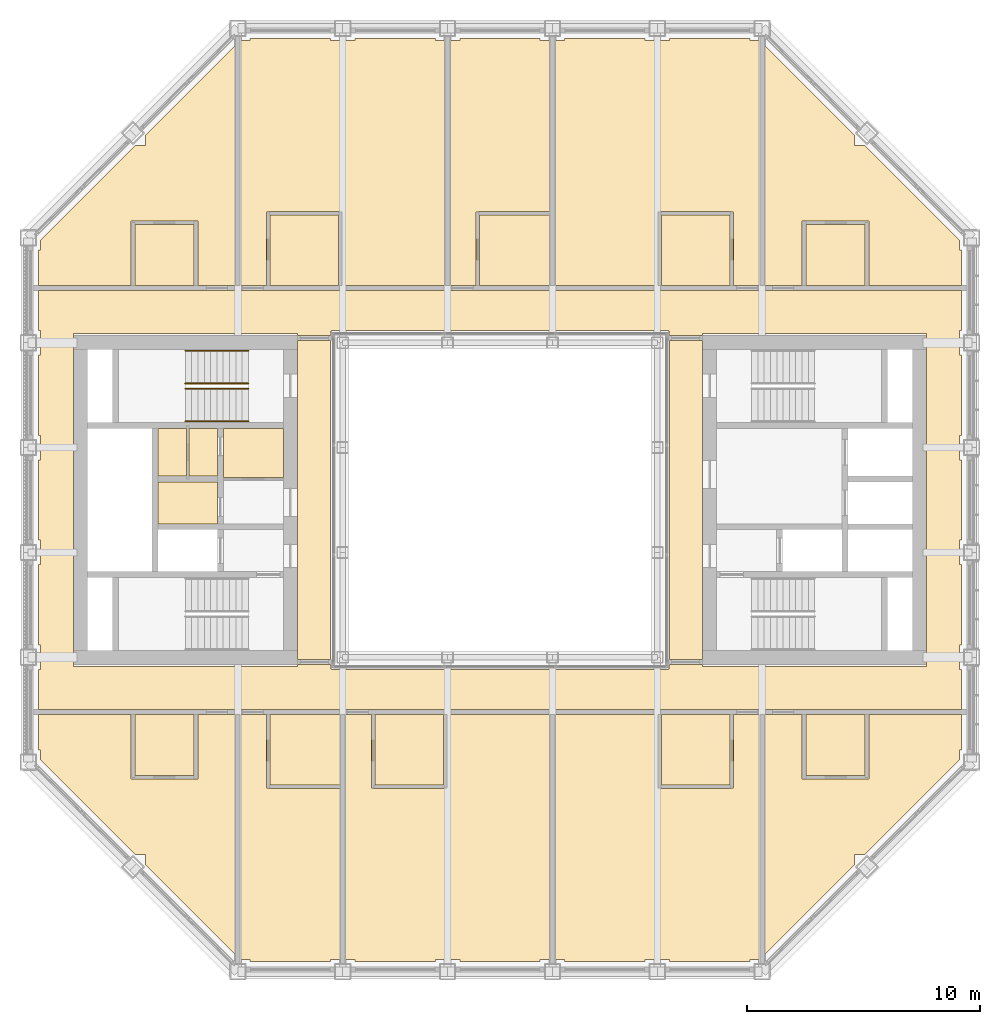
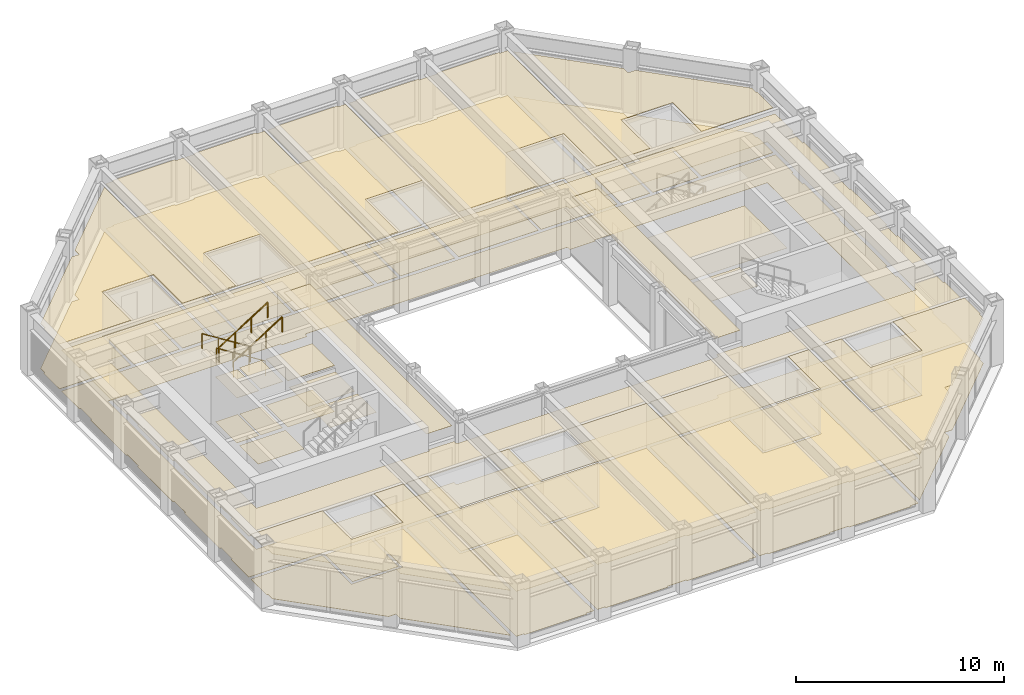
# One storey, part 15 of 16: 8 coverings, 4 railings.
"""IFC4 building model written with IfcOpenShell, lengths in metres."""

from ifc_helpers import new_model, si_unit, direction, frame, origin, origin_2d, place, context, subcontext, project, spatial, line, indexed_curve, circle, outline, extrude, material, layer, layer_set, type_object, element, save


model = new_model("IFC4")

# Units and contexts
model_context = context("Model", 3, precision=1e-05, world=origin(), true_north=direction((0.0, 1.0)))
body_context = subcontext(model_context, "Body", "Model", "MODEL_VIEW")
ifc_project = project(units=[si_unit("LENGTHUNIT", "METRE"), si_unit("AREAUNIT", "SQUARE_METRE"), si_unit("VOLUMEUNIT", "CUBIC_METRE"), si_unit("PLANEANGLEUNIT", "RADIAN"), si_unit("MASSUNIT", "GRAM", prefix="KILO")], contexts=[model_context])

# Site, building, storey
site_placement = place(None, origin())
site = spatial("IfcSite", under=ifc_project, at=site_placement, CompositionType="ELEMENT")
building_placement = place(site_placement, origin())
building = spatial("IfcBuilding", under=site, at=building_placement, Name="Msasa Ring Tower", CompositionType="ELEMENT")
storey_placement = place(building_placement, frame((0.0, 0.0, 219.550048828125)))
storey = spatial("IfcBuildingStorey", under=building, at=storey_placement, Name="L57", CompositionType="ELEMENT", Elevation=219.550048828125)

# Coverings
ifc_material_1 = material(Name="Gypsum plasterboard on a steel suspension grid", Category="steel")
ifc_layer_1 = layer(ifc_material_1, 0.014892578125)
ifc_layer_set_1 = layer_set([ifc_layer_1], Name="C1 SUSPENDED PLASTERBOARD CEILING 15")
covering_type_1 = type_object("IfcCoveringType", Name="C1 SUSPENDED PLASTERBOARD CEILING 15", PredefinedType="CEILING", material=ifc_layer_set_1)
covering_1_placement = place(storey_placement, frame((0.0, 0.0, 2.39990234375)))
element("IfcCovering", 1, at=covering_1_placement, inside=storey, type_object=covering_type_1, Name="Suspended Plasterboard Ceiling 15 circulation L57", PredefinedType="CEILING", context=body_context, shape_type="SweptSolid", body=[
    extrude(outline(indexed_curve([(19.799560546875, 7.275390625), (19.724609375, 7.275390625), (19.724609375, 6.224609375), (19.799560546875, 6.224609375), (19.799560546875, 2.775390625), (19.724609375, 2.775390625), (19.724609375, 1.724609375), (19.799560546875, 1.724609375), (19.799560546875, -1.724609375), (19.724609375, -1.724609375), (19.724609375, -2.775390625), (19.799560546875, -2.775390625), (19.799560546875, -6.224609375), (19.724609375, -6.224609375), (19.724609375, -7.275390625), (19.799560546875, -7.275390625), (19.799560546875, -8.99951171875), (-19.799560546875, -8.99951171875), (-19.799560546875, -7.275390625), (-19.724609375, -7.275390625), (-19.724609375, -6.224609375), (-19.799560546875, -6.224609375), (-19.799560546875, -2.775390625), (-19.724609375, -2.775390625), (-19.724609375, -1.724609375), (-19.799560546875, -1.724609375), (-19.799560546875, 1.724609375), (-19.724609375, 1.724609375), (-19.724609375, 2.775390625), (-19.799560546875, 2.775390625), (-19.799560546875, 6.224609375), (-19.724609375, 6.224609375), (-19.724609375, 7.275390625), (-19.799560546875, 7.275390625), (-19.799560546875, 8.99951171875), (19.799560546875, 8.99951171875)], segments=[line(1, 2, 3, 4, 5, 6, 7, 8, 9, 10, 11, 12, 13, 14, 15, 16, 17, 18, 19, 20, 21, 22, 23, 24, 25, 26, 27, 28, 29, 30, 31, 32, 33, 34, 35, 36, 1)], self_intersect=False), holes=[indexed_curve([(8.699462890625, -7.150390625), (18.300537109375, -7.150390625), (18.300537109375, 7.150390625), (8.699462890625, 7.150390625), (8.699462890625, 7.050537109375), (7.280029296875, 7.050537109375), (7.280517578125, 7.23046875), (7.22998046875, 7.23046875), (7.22998046875, 7.280029296875), (-7.22998046875, 7.280029296875), (-7.22998046875, 7.23046875), (-7.280517578125, 7.23046875), (-7.280029296875, 7.050537109375), (-8.699462890625, 7.050537109375), (-8.699462890625, 7.150390625), (-18.300537109375, 7.150390625), (-18.300537109375, -7.150390625), (-8.699462890625, -7.150390625), (-8.699462890625, -7.050537109375), (-7.280029296875, -7.050537109375), (-7.280517578125, -7.23046875), (-7.22998046875, -7.23046875), (-7.22998046875, -7.280029296875), (7.22998046875, -7.280029296875), (7.22998046875, -7.23046875), (7.280517578125, -7.23046875), (7.280029296875, -7.050537109375), (8.699462890625, -7.050537109375)], segments=[line(1, 2, 3, 4, 5, 6, 7, 8, 9, 10, 11, 12, 13, 14, 15, 16, 17, 18, 19, 20, 21, 22, 23, 24, 25, 26, 27, 28, 1)], self_intersect=False)]), origin(), (0.0, 0.0, 1.0), 0.01513671875),
    extrude(outline(indexed_curve([(-9.300537109375, -3.074462890625), (-11.87451171875, -3.074462890625), (-11.87451171875, -1.275390625), (-9.300537109375, -1.275390625)], segments=[line(1, 2, 3, 4, 1)], self_intersect=False)), origin(), (0.0, 0.0, 1.0), 0.01513671875),
    extrude(outline(indexed_curve([(-9.300537109375, -1.0244140625), (-11.87451171875, -1.0244140625), (-11.87451171875, 0.844482421875), (-9.300537109375, 0.844482421875)], segments=[line(1, 2, 3, 4, 1)], self_intersect=False)), origin(), (0.0, 0.0, 1.0), 0.01513671875),
    extrude(outline(indexed_curve([(11.87451171875, -3.074462890625), (9.300537109375, -3.074462890625), (9.300537109375, -1.275390625), (11.87451171875, -1.275390625)], segments=[line(1, 2, 3, 4, 1)], self_intersect=False)), origin(), (0.0, 0.0, 1.0), 0.01513671875),
    extrude(outline(indexed_curve([(9.300537109375, -1.0244140625), (9.300537109375, 3.074462890625), (14.674560546875, 3.074462890625), (14.674560546875, -1.0244140625)], segments=[line(1, 2, 3, 4, 1)], self_intersect=False)), origin(), (0.0, 0.0, 1.0), 0.01513671875),
])
covering_2_placement = place(storey_placement, frame((0.0, 0.0, 3.199951171875)))
element("IfcCovering", 2, at=covering_2_placement, inside=storey, type_object=covering_type_1, Name="Suspended Plasterboard Ceiling 15 public rooms L57", PredefinedType="CEILING", context=body_context, shape_type="SweptSolid", body=[
    extrude(outline(indexed_curve([(-7.280029296875, 6.849609375), (-7.280029296875, -6.849609375), (-8.699462890625, -6.849609375), (-8.699462890625, 6.849609375)], segments=[line(1, 2, 3, 4, 1)], self_intersect=False)), origin(), (0.0, 0.0, 1.0), 0.014892578125),
    extrude(outline(indexed_curve([(8.699462890625, 6.849609375), (8.699462890625, -6.849609375), (7.280029296875, -6.849609375), (7.280029296875, 6.849609375)], segments=[line(1, 2, 3, 4, 1)], self_intersect=False)), origin(), (0.0, 0.0, 1.0), 0.014892578125),
])
covering_3_placement = place(storey_placement, frame((0.0, 0.0, 2.634033203125)))
element("IfcCovering", 3, at=covering_3_placement, inside=storey, type_object=covering_type_1, Name="Suspended Plasterboard Ceiling 15 L57", PredefinedType="CEILING", context=body_context, shape_type="SweptSolid", body=[
    extrude(outline(indexed_curve([(-15.83056640625, -11.98046875), (-12.969482421875, -11.98046875), (-12.969482421875, -9.200439453125), (-11.3505859375, -9.200439453125), (-11.3505859375, -19.512451171875), (-15.224609375, -15.638427734375), (-15.224609375, -15.224609375), (-15.638427734375, -15.224609375), (-19.724609375, -11.138427734375), (-19.724609375, -10.724609375), (-19.799560546875, -10.724609375), (-19.799560546875, -9.200439453125), (-15.83056640625, -9.200439453125)], segments=[line(1, 2, 3, 4, 5, 6, 7, 8, 9, 10, 11, 12, 13, 1)], self_intersect=False)), origin(), (0.0, 0.0, 1.0), 0.014892578125),
    extrude(outline(indexed_curve([(-19.799560546875, 9.200439453125), (-19.799560546875, 10.724609375), (-19.724609375, 10.724609375), (-19.724609375, 11.138427734375), (-15.638427734375, 15.224609375), (-15.224609375, 15.224609375), (-15.224609375, 15.638427734375), (-11.3505859375, 19.512451171875), (-11.3505859375, 9.200439453125), (-12.969482421875, 9.200439453125), (-12.969482421875, 11.98046875), (-15.83056640625, 11.98046875), (-15.83056640625, 9.200439453125)], segments=[line(1, 2, 3, 4, 5, 6, 7, 8, 9, 10, 11, 12, 13, 1)], self_intersect=False)), origin(), (0.0, 0.0, 1.0), 0.014892578125),
    extrude(outline(indexed_curve([(-14.674560546875, 3.074462890625), (-13.45556640625, 3.074462890625), (-13.45556640625, 1.025390625), (-14.674560546875, 1.025390625)], segments=[line(1, 2, 3, 4, 1)], self_intersect=False)), origin(), (0.0, 0.0, 1.0), 0.014892578125),
    extrude(outline(indexed_curve([(-6.8505859375, -19.724609375), (-7.275390625, -19.724609375), (-7.275390625, -19.799560546875), (-10.724609375, -19.799560546875), (-10.724609375, -19.724609375), (-11.138427734375, -19.724609375), (-11.1494140625, -19.71337890625), (-11.1494140625, -9.200439453125), (-10.00048828125, -9.200439453125), (-10.00048828125, -12.3505859375), (-6.8505859375, -12.3505859375)], segments=[line(1, 2, 3, 4, 5, 6, 7, 8, 9, 10, 11, 1)], self_intersect=False)), origin(), (0.0, 0.0, 1.0), 0.014892578125),
    extrude(outline(indexed_curve([(-6.799560546875, 9.200439453125), (-6.799560546875, 12.3505859375), (-10.00048828125, 12.3505859375), (-10.00048828125, 9.200439453125), (-11.1494140625, 9.200439453125), (-11.1494140625, 19.71337890625), (-11.138427734375, 19.724609375), (-10.724609375, 19.724609375), (-10.724609375, 19.799560546875), (-7.275390625, 19.799560546875), (-7.275390625, 19.724609375), (-6.224609375, 19.724609375), (-6.224609375, 19.799560546875), (-2.775390625, 19.799560546875), (-2.775390625, 19.724609375), (-2.3505859375, 19.724609375), (-2.3505859375, 9.200439453125)], segments=[line(1, 2, 3, 4, 5, 6, 7, 8, 9, 10, 11, 12, 13, 14, 15, 16, 17, 1)], self_intersect=False)), origin(), (0.0, 0.0, 1.0), 0.014892578125),
    extrude(outline(indexed_curve([(-5.50048828125, -12.3505859375), (-2.299560546875, -12.3505859375), (-2.299560546875, -9.200439453125), (2.1494140625, -9.200439453125), (2.1494140625, -19.724609375), (1.724609375, -19.724609375), (1.724609375, -19.799560546875), (-1.724609375, -19.799560546875), (-1.724609375, -19.724609375), (-2.775390625, -19.724609375), (-2.775390625, -19.799560546875), (-6.224609375, -19.799560546875), (-6.224609375, -19.724609375), (-6.6494140625, -19.724609375), (-6.6494140625, -9.200439453125), (-5.50048828125, -9.200439453125)], segments=[line(1, 2, 3, 4, 5, 6, 7, 8, 9, 10, 11, 12, 13, 14, 15, 16, 1)], self_intersect=False)), origin(), (0.0, 0.0, 1.0), 0.014892578125),
    extrude(outline(indexed_curve([(-2.1494140625, 9.200439453125), (-2.1494140625, 19.724609375), (-1.724609375, 19.724609375), (-1.724609375, 19.799560546875), (1.724609375, 19.799560546875), (1.724609375, 19.724609375), (2.1494140625, 19.724609375), (2.1494140625, 12.3505859375), (-1.00048828125, 12.3505859375), (-1.00048828125, 9.200439453125)], segments=[line(1, 2, 3, 4, 5, 6, 7, 8, 9, 10, 1)], self_intersect=False)), origin(), (0.0, 0.0, 1.0), 0.014892578125),
    extrude(outline(indexed_curve([(6.799560546875, -12.3505859375), (10.00048828125, -12.3505859375), (10.00048828125, -9.200439453125), (11.1494140625, -9.200439453125), (11.1494140625, -19.71337890625), (11.138427734375, -19.724609375), (10.724609375, -19.724609375), (10.724609375, -19.799560546875), (7.275390625, -19.799560546875), (7.275390625, -19.724609375), (6.224609375, -19.724609375), (6.224609375, -19.799560546875), (2.775390625, -19.799560546875), (2.775390625, -19.724609375), (2.3505859375, -19.724609375), (2.3505859375, -9.200439453125), (6.799560546875, -9.200439453125)], segments=[line(1, 2, 3, 4, 5, 6, 7, 8, 9, 10, 11, 12, 13, 14, 15, 16, 17, 1)], self_intersect=False)), origin(), (0.0, 0.0, 1.0), 0.014892578125),
    extrude(outline(indexed_curve([(10.00048828125, 12.3505859375), (6.799560546875, 12.3505859375), (6.799560546875, 9.200439453125), (2.3505859375, 9.200439453125), (2.3505859375, 19.724609375), (2.775390625, 19.724609375), (2.775390625, 19.799560546875), (6.224609375, 19.799560546875), (6.224609375, 19.724609375), (7.275390625, 19.724609375), (7.275390625, 19.799560546875), (10.724609375, 19.799560546875), (10.724609375, 19.724609375), (11.138427734375, 19.724609375), (11.1494140625, 19.71337890625), (11.1494140625, 9.200439453125), (10.00048828125, 9.200439453125)], segments=[line(1, 2, 3, 4, 5, 6, 7, 8, 9, 10, 11, 12, 13, 14, 15, 16, 17, 1)], self_intersect=False)), origin(), (0.0, 0.0, 1.0), 0.014892578125),
    extrude(outline(indexed_curve([(19.799560546875, -9.200439453125), (19.799560546875, -10.724609375), (19.724609375, -10.724609375), (19.724609375, -11.138427734375), (15.638427734375, -15.224609375), (15.224609375, -15.224609375), (15.224609375, -15.638427734375), (11.3505859375, -19.512451171875), (11.3505859375, -9.200439453125), (12.969482421875, -9.200439453125), (12.969482421875, -11.98046875), (15.83056640625, -11.98046875), (15.83056640625, -9.200439453125)], segments=[line(1, 2, 3, 4, 5, 6, 7, 8, 9, 10, 11, 12, 13, 1)], self_intersect=False)), origin(), (0.0, 0.0, 1.0), 0.014892578125),
    extrude(outline(indexed_curve([(15.83056640625, 11.98046875), (12.969482421875, 11.98046875), (12.969482421875, 9.200439453125), (11.3505859375, 9.200439453125), (11.3505859375, 19.512451171875), (15.224609375, 15.638427734375), (15.224609375, 15.224609375), (15.638427734375, 15.224609375), (19.724609375, 11.138427734375), (19.724609375, 10.724609375), (19.799560546875, 10.724609375), (19.799560546875, 9.200439453125), (15.83056640625, 9.200439453125)], segments=[line(1, 2, 3, 4, 5, 6, 7, 8, 9, 10, 11, 12, 13, 1)], self_intersect=False)), origin(), (0.0, 0.0, 1.0), 0.014892578125),
])
ifc_material_2 = material(Name="Mineral fibre ceiling tiles on an exposed steel grid", Category="steel")
ifc_layer_2 = layer(ifc_material_2, 0.02001953125)
ifc_layer_set_2 = layer_set([ifc_layer_2], Name="C3 ACOUSTIC MINERAL FIBRE TILE CEILING 20")
covering_type_2 = type_object("IfcCoveringType", Name="C3 ACOUSTIC MINERAL FIBRE TILE CEILING 20", PredefinedType="CEILING", material=ifc_layer_set_2)
covering_4_placement = place(storey_placement, frame((0.0, 0.0, 2.699951171875)))
element("IfcCovering", 4, at=covering_4_placement, inside=storey, type_object=covering_type_2, Name="Acoustic Mineral Fibre Tile Ceiling 20 L57", PredefinedType="CEILING", context=body_context, shape_type="SweptSolid", body=[
    extrude(outline(indexed_curve([(-12.12548828125, 3.074462890625), (-12.12548828125, 1.025390625), (-13.344482421875, 1.025390625), (-13.344482421875, 3.074462890625)], segments=[line(1, 2, 3, 4, 1)], self_intersect=False)), origin(), (0.0, 0.0, 1.0), 0.02001953125),
    extrude(outline(indexed_curve([(-9.300537109375, 3.074462890625), (-9.300537109375, 0.95556640625), (-11.87451171875, 0.95556640625), (-11.87451171875, 3.074462890625)], segments=[line(1, 2, 3, 4, 1)], self_intersect=False)), origin(), (0.0, 0.0, 1.0), 0.02001953125),
])
ifc_material_3 = material(Name="Wool-blend carpet on felt underlay", Category="textile")
ifc_layer_3 = layer(ifc_material_3, 0.011962890625)
ifc_layer_set_3 = layer_set([ifc_layer_3], Name="F2 CARPET ON UNDERLAY 12")
covering_type_3 = type_object("IfcCoveringType", Name="F2 CARPET ON UNDERLAY 12", PredefinedType="FLOORING", material=ifc_layer_set_3)
covering_5_placement = place(storey_placement, origin())
element("IfcCovering", 5, at=covering_5_placement, inside=storey, type_object=covering_type_3, Name="Carpet On Underlay 12 L57", PredefinedType="FLOORING", context=body_context, shape_type="SweptSolid", body=[
    extrude(outline(indexed_curve([(19.799560546875, 7.275390625), (19.724609375, 7.275390625), (19.724609375, 6.224609375), (19.799560546875, 6.224609375), (19.799560546875, 2.775390625), (19.724609375, 2.775390625), (19.724609375, 1.724609375), (19.799560546875, 1.724609375), (19.799560546875, -1.724609375), (19.724609375, -1.724609375), (19.724609375, -2.775390625), (19.799560546875, -2.775390625), (19.799560546875, -6.224609375), (19.724609375, -6.224609375), (19.724609375, -7.275390625), (19.799560546875, -7.275390625), (19.799560546875, -8.99951171875), (-19.799560546875, -8.99951171875), (-19.799560546875, -7.275390625), (-19.724609375, -7.275390625), (-19.724609375, -6.224609375), (-19.799560546875, -6.224609375), (-19.799560546875, -2.775390625), (-19.724609375, -2.775390625), (-19.724609375, -1.724609375), (-19.799560546875, -1.724609375), (-19.799560546875, 1.724609375), (-19.724609375, 1.724609375), (-19.724609375, 2.775390625), (-19.799560546875, 2.775390625), (-19.799560546875, 6.224609375), (-19.724609375, 6.224609375), (-19.724609375, 7.275390625), (-19.799560546875, 7.275390625), (-19.799560546875, 8.99951171875), (19.799560546875, 8.99951171875)], segments=[line(1, 2, 3, 4, 5, 6, 7, 8, 9, 10, 11, 12, 13, 14, 15, 16, 17, 18, 19, 20, 21, 22, 23, 24, 25, 26, 27, 28, 29, 30, 31, 32, 33, 34, 35, 36, 1)], self_intersect=False), holes=[indexed_curve([(8.699462890625, -7.150390625), (18.300537109375, -7.150390625), (18.300537109375, 7.150390625), (8.699462890625, 7.150390625), (8.699462890625, 7.050537109375), (7.280029296875, 7.050537109375), (7.280517578125, 7.23046875), (7.22998046875, 7.23046875), (7.22998046875, 7.280029296875), (-7.22998046875, 7.280029296875), (-7.22998046875, 7.23046875), (-7.280517578125, 7.23046875), (-7.280029296875, 7.050537109375), (-8.699462890625, 7.050537109375), (-8.699462890625, 7.150390625), (-18.300537109375, 7.150390625), (-18.300537109375, -7.150390625), (-8.699462890625, -7.150390625), (-8.699462890625, -7.050537109375), (-7.280029296875, -7.050537109375), (-7.280517578125, -7.23046875), (-7.22998046875, -7.23046875), (-7.22998046875, -7.280029296875), (7.22998046875, -7.280029296875), (7.22998046875, -7.23046875), (7.280517578125, -7.23046875), (7.280029296875, -7.050537109375), (8.699462890625, -7.050537109375)], segments=[line(1, 2, 3, 4, 5, 6, 7, 8, 9, 10, 11, 12, 13, 14, 15, 16, 17, 18, 19, 20, 21, 22, 23, 24, 25, 26, 27, 28, 1)], self_intersect=False)]), origin(), (0.0, 0.0, 1.0), 0.011962890625),
    extrude(outline(indexed_curve([(-14.674560546875, 3.074462890625), (-13.45556640625, 3.074462890625), (-13.45556640625, 1.025390625), (-14.674560546875, 1.025390625)], segments=[line(1, 2, 3, 4, 1)], self_intersect=False)), origin(), (0.0, 0.0, 1.0), 0.011962890625),
    extrude(outline(indexed_curve([(-10.724609375, -19.799560546875), (-10.724609375, -19.724609375), (-11.138427734375, -19.724609375), (-11.1494140625, -19.71337890625), (-11.1494140625, -9.200439453125), (-10.025390625, -9.200439453125), (-10.025390625, -12.35009765625), (-9.89990234375, -12.3505859375), (-9.89990234375, -12.37548828125), (-6.8505859375, -12.37548828125), (-6.8505859375, -19.724609375), (-7.275390625, -19.724609375), (-7.275390625, -19.799560546875)], segments=[line(1, 2, 3, 4, 5, 6, 7, 8, 9, 10, 11, 12, 13, 1)], self_intersect=False)), origin(), (0.0, 0.0, 1.0), 0.011962890625),
    extrude(outline(indexed_curve([(-0.89990234375, 12.3505859375), (-1.025390625, 12.35009765625), (-1.025390625, 9.200439453125), (-2.1494140625, 9.200439453125), (-2.1494140625, 19.724609375), (-1.724609375, 19.724609375), (-1.724609375, 19.799560546875), (1.724609375, 19.799560546875), (1.724609375, 19.724609375), (2.1494140625, 19.724609375), (2.1494140625, 12.37548828125), (-0.89990234375, 12.37548828125)], segments=[line(1, 2, 3, 4, 5, 6, 7, 8, 9, 10, 11, 12, 1)], self_intersect=False)), origin(), (0.0, 0.0, 1.0), 0.011962890625),
])
ifc_material_4 = material(Name="Engineered oak boards on an acoustic underlay", Category="wood")
ifc_layer_4 = layer(ifc_material_4, 0.01806640625)
ifc_layer_set_4 = layer_set([ifc_layer_4], Name="F3 ENGINEERED TIMBER ON ACOUSTIC UNDERLAY 18")
covering_type_4 = type_object("IfcCoveringType", Name="F3 ENGINEERED TIMBER ON ACOUSTIC UNDERLAY 18", PredefinedType="FLOORING", material=ifc_layer_set_4)
covering_6_placement = place(storey_placement, origin())
element("IfcCovering", 6, at=covering_6_placement, inside=storey, type_object=covering_type_4, Name="Engineered Timber On Acoustic Underlay 18 L57", PredefinedType="FLOORING", context=body_context, shape_type="SweptSolid", body=[
    extrude(outline(indexed_curve([(-12.969482421875, -11.98046875), (-12.969482421875, -9.200439453125), (-11.3505859375, -9.200439453125), (-11.3505859375, -19.512451171875), (-15.224609375, -15.638427734375), (-15.224609375, -15.224609375), (-15.638427734375, -15.224609375), (-19.724609375, -11.138427734375), (-19.724609375, -10.724609375), (-19.799560546875, -10.724609375), (-19.799560546875, -9.200439453125), (-15.83056640625, -9.200439453125), (-15.83056640625, -11.98046875)], segments=[line(1, 2, 3, 4, 5, 6, 7, 8, 9, 10, 11, 12, 13, 1)], self_intersect=False)), origin(), (0.0, 0.0, 1.0), 0.01806640625),
    extrude(outline(indexed_curve([(-19.799560546875, 9.200439453125), (-19.799560546875, 10.724609375), (-19.724609375, 10.724609375), (-19.724609375, 11.138427734375), (-15.638427734375, 15.224609375), (-15.224609375, 15.224609375), (-15.224609375, 15.638427734375), (-11.3505859375, 19.512451171875), (-11.3505859375, 9.200439453125), (-12.969482421875, 9.200439453125), (-12.969482421875, 11.98046875), (-15.83056640625, 11.98046875), (-15.83056640625, 9.200439453125)], segments=[line(1, 2, 3, 4, 5, 6, 7, 8, 9, 10, 11, 12, 13, 1)], self_intersect=False)), origin(), (0.0, 0.0, 1.0), 0.01806640625),
    extrude(outline(indexed_curve([(-6.7744140625, 12.35009765625), (-6.89990234375, 12.3505859375), (-6.89990234375, 12.37548828125), (-9.89990234375, 12.37548828125), (-9.89990234375, 12.3505859375), (-10.025390625, 12.35009765625), (-10.025390625, 9.200439453125), (-11.1494140625, 9.200439453125), (-11.1494140625, 19.71337890625), (-11.138427734375, 19.724609375), (-10.724609375, 19.724609375), (-10.724609375, 19.799560546875), (-7.275390625, 19.799560546875), (-7.275390625, 19.724609375), (-6.224609375, 19.724609375), (-6.224609375, 19.799560546875), (-2.775390625, 19.799560546875), (-2.775390625, 19.724609375), (-2.3505859375, 19.724609375), (-2.3505859375, 9.200439453125), (-6.7744140625, 9.200439453125)], segments=[line(1, 2, 3, 4, 5, 6, 7, 8, 9, 10, 11, 12, 13, 14, 15, 16, 17, 18, 19, 20, 21, 1)], self_intersect=False)), origin(), (0.0, 0.0, 1.0), 0.01806640625),
    extrude(outline(indexed_curve([(-5.39990234375, -12.3505859375), (-5.39990234375, -12.37548828125), (-2.39990234375, -12.37548828125), (-2.39990234375, -12.3505859375), (-2.2744140625, -12.35009765625), (-2.2744140625, -9.200439453125), (2.1494140625, -9.200439453125), (2.1494140625, -19.724609375), (1.724609375, -19.724609375), (1.724609375, -19.799560546875), (-1.724609375, -19.799560546875), (-1.724609375, -19.724609375), (-2.775390625, -19.724609375), (-2.775390625, -19.799560546875), (-6.224609375, -19.799560546875), (-6.224609375, -19.724609375), (-6.6494140625, -19.724609375), (-6.6494140625, -9.200439453125), (-5.525390625, -9.200439453125), (-5.525390625, -12.35009765625)], segments=[line(1, 2, 3, 4, 5, 6, 7, 8, 9, 10, 11, 12, 13, 14, 15, 16, 17, 18, 19, 20, 1)], self_intersect=False)), origin(), (0.0, 0.0, 1.0), 0.01806640625),
    extrude(outline(indexed_curve([(6.7744140625, -12.35009765625), (6.89990234375, -12.3505859375), (6.89990234375, -12.37548828125), (9.89990234375, -12.37548828125), (9.89990234375, -12.3505859375), (10.025390625, -12.35009765625), (10.025390625, -9.200439453125), (11.1494140625, -9.200439453125), (11.1494140625, -19.71337890625), (11.138427734375, -19.724609375), (10.724609375, -19.724609375), (10.724609375, -19.799560546875), (7.275390625, -19.799560546875), (7.275390625, -19.724609375), (6.224609375, -19.724609375), (6.224609375, -19.799560546875), (2.775390625, -19.799560546875), (2.775390625, -19.724609375), (2.3505859375, -19.724609375), (2.3505859375, -9.200439453125), (6.7744140625, -9.200439453125)], segments=[line(1, 2, 3, 4, 5, 6, 7, 8, 9, 10, 11, 12, 13, 14, 15, 16, 17, 18, 19, 20, 21, 1)], self_intersect=False)), origin(), (0.0, 0.0, 1.0), 0.01806640625),
    extrude(outline(indexed_curve([(10.025390625, 12.35009765625), (9.89990234375, 12.3505859375), (9.89990234375, 12.37548828125), (6.89990234375, 12.37548828125), (6.89990234375, 12.3505859375), (6.7744140625, 12.35009765625), (6.7744140625, 9.200439453125), (2.3505859375, 9.200439453125), (2.3505859375, 19.724609375), (2.775390625, 19.724609375), (2.775390625, 19.799560546875), (6.224609375, 19.799560546875), (6.224609375, 19.724609375), (7.275390625, 19.724609375), (7.275390625, 19.799560546875), (10.724609375, 19.799560546875), (10.724609375, 19.724609375), (11.138427734375, 19.724609375), (11.1494140625, 19.71337890625), (11.1494140625, 9.200439453125), (10.025390625, 9.200439453125)], segments=[line(1, 2, 3, 4, 5, 6, 7, 8, 9, 10, 11, 12, 13, 14, 15, 16, 17, 18, 19, 20, 21, 1)], self_intersect=False)), origin(), (0.0, 0.0, 1.0), 0.01806640625),
    extrude(outline(indexed_curve([(19.799560546875, -9.200439453125), (19.799560546875, -10.724609375), (19.724609375, -10.724609375), (19.724609375, -11.138427734375), (15.638427734375, -15.224609375), (15.224609375, -15.224609375), (15.224609375, -15.638427734375), (11.3505859375, -19.512451171875), (11.3505859375, -9.200439453125), (12.969482421875, -9.200439453125), (12.969482421875, -11.98046875), (15.83056640625, -11.98046875), (15.83056640625, -9.200439453125)], segments=[line(1, 2, 3, 4, 5, 6, 7, 8, 9, 10, 11, 12, 13, 1)], self_intersect=False)), origin(), (0.0, 0.0, 1.0), 0.01806640625),
    extrude(outline(indexed_curve([(12.969482421875, 11.98046875), (12.969482421875, 9.200439453125), (11.3505859375, 9.200439453125), (11.3505859375, 19.512451171875), (15.224609375, 15.638427734375), (15.224609375, 15.224609375), (15.638427734375, 15.224609375), (19.724609375, 11.138427734375), (19.724609375, 10.724609375), (19.799560546875, 10.724609375), (19.799560546875, 9.200439453125), (15.83056640625, 9.200439453125), (15.83056640625, 11.98046875)], segments=[line(1, 2, 3, 4, 5, 6, 7, 8, 9, 10, 11, 12, 13, 1)], self_intersect=False)), origin(), (0.0, 0.0, 1.0), 0.01806640625),
])
ifc_material_5 = material(Name="Porcelain floor tiles in adhesive", Category="ceramic")
ifc_layer_5 = layer(ifc_material_5, 0.010009765625)
ifc_layer_set_5 = layer_set([ifc_layer_5], Name="F4 PORCELAIN TILE ON ADHESIVE 10")
covering_type_5 = type_object("IfcCoveringType", Name="F4 PORCELAIN TILE ON ADHESIVE 10", PredefinedType="FLOORING", material=ifc_layer_set_5)
covering_7_placement = place(storey_placement, origin())
element("IfcCovering", 7, at=covering_7_placement, inside=storey, type_object=covering_type_5, Name="Porcelain Tile On Adhesive 10 L57", PredefinedType="FLOORING", context=body_context, shape_type="SweptSolid", body=[
    extrude(outline(indexed_curve([(-15.66943359375, -9.200439453125), (-13.130615234375, -9.200439453125), (-13.130615234375, -11.819580078125), (-15.66943359375, -11.819580078125)], segments=[line(1, 2, 3, 4, 1)], self_intersect=False)), origin(), (0.0, 0.0, 1.0), 0.010009765625),
    extrude(outline(indexed_curve([(-13.130615234375, 11.819580078125), (-13.130615234375, 9.200439453125), (-15.66943359375, 9.200439453125), (-15.66943359375, 11.819580078125)], segments=[line(1, 2, 3, 4, 1)], self_intersect=False)), origin(), (0.0, 0.0, 1.0), 0.010009765625),
    extrude(outline(indexed_curve([(-12.12548828125, -1.0244140625), (-14.674560546875, -1.0244140625), (-14.674560546875, 0.7744140625), (-12.12548828125, 0.7744140625)], segments=[line(1, 2, 3, 4, 1)], self_intersect=False)), origin(), (0.0, 0.0, 1.0), 0.010009765625),
    extrude(outline(indexed_curve([(-6.8505859375, -9.200439453125), (-6.8505859375, -12.224609375), (-9.87451171875, -12.224609375), (-9.87451171875, -9.200439453125)], segments=[line(1, 2, 3, 4, 1)], self_intersect=False)), origin(), (0.0, 0.0, 1.0), 0.010009765625),
    extrude(outline(indexed_curve([(-9.87451171875, 9.200439453125), (-9.87451171875, 12.224609375), (-6.925537109375, 12.224609375), (-6.925537109375, 9.200439453125)], segments=[line(1, 2, 3, 4, 1)], self_intersect=False)), origin(), (0.0, 0.0, 1.0), 0.010009765625),
    extrude(outline(indexed_curve([(-2.425537109375, -9.200439453125), (-2.425537109375, -12.224609375), (-5.37451171875, -12.224609375), (-5.37451171875, -9.200439453125)], segments=[line(1, 2, 3, 4, 1)], self_intersect=False)), origin(), (0.0, 0.0, 1.0), 0.010009765625),
    extrude(outline(indexed_curve([(2.1494140625, 9.200439453125), (-0.87451171875, 9.200439453125), (-0.87451171875, 12.224609375), (2.1494140625, 12.224609375)], segments=[line(1, 2, 3, 4, 1)], self_intersect=False)), origin(), (0.0, 0.0, 1.0), 0.010009765625),
    extrude(outline(indexed_curve([(9.87451171875, -9.200439453125), (9.87451171875, -12.224609375), (6.925537109375, -12.224609375), (6.925537109375, -9.200439453125)], segments=[line(1, 2, 3, 4, 1)], self_intersect=False)), origin(), (0.0, 0.0, 1.0), 0.010009765625),
    extrude(outline(indexed_curve([(6.925537109375, 9.200439453125), (6.925537109375, 12.224609375), (9.87451171875, 12.224609375), (9.87451171875, 9.200439453125)], segments=[line(1, 2, 3, 4, 1)], self_intersect=False)), origin(), (0.0, 0.0, 1.0), 0.010009765625),
    extrude(outline(indexed_curve([(15.66943359375, -9.200439453125), (15.66943359375, -11.819580078125), (13.130615234375, -11.819580078125), (13.130615234375, -9.200439453125)], segments=[line(1, 2, 3, 4, 1)], self_intersect=False)), origin(), (0.0, 0.0, 1.0), 0.010009765625),
    extrude(outline(indexed_curve([(13.130615234375, 11.819580078125), (15.66943359375, 11.819580078125), (15.66943359375, 9.200439453125), (13.130615234375, 9.200439453125)], segments=[line(1, 2, 3, 4, 1)], self_intersect=False)), origin(), (0.0, 0.0, 1.0), 0.010009765625),
])
ifc_material_6 = material(Name="Welded vinyl safety sheet flooring", Category="vinyl")
ifc_layer_6 = layer(ifc_material_6, 0.0029296875)
ifc_layer_set_6 = layer_set([ifc_layer_6], Name="F5 RESILIENT SHEET FLOORING 3")
covering_type_6 = type_object("IfcCoveringType", Name="F5 RESILIENT SHEET FLOORING 3", PredefinedType="FLOORING", material=ifc_layer_set_6)
covering_8_placement = place(storey_placement, origin())
element("IfcCovering", 8, at=covering_8_placement, inside=storey, type_object=covering_type_6, Name="Resilient Sheet Flooring 3 L57", PredefinedType="FLOORING", context=body_context, shape_type="SweptSolid", body=[
    extrude(outline(indexed_curve([(-12.12548828125, 1.025390625), (-13.344482421875, 1.025390625), (-13.344482421875, 3.074462890625), (-12.12548828125, 3.074462890625)], segments=[line(1, 2, 3, 4, 1)], self_intersect=False)), origin(), (0.0, 0.0, 1.0), 0.0029296875),
    extrude(outline(indexed_curve([(-9.300537109375, 0.95556640625), (-11.87451171875, 0.95556640625), (-11.87451171875, 3.074462890625), (-9.300537109375, 3.074462890625)], segments=[line(1, 2, 3, 4, 1)], self_intersect=False)), origin(), (0.0, 0.0, 1.0), 0.0029296875),
])

# Railings
ifc_material_7 = material(Name="Stainless steel", Category="steel")
railing_type = type_object("IfcRailingType", Name="HR1 HANDRAIL 900", PredefinedType="HANDRAIL", material=ifc_material_7)
for number, where, name in (
    (9, (-10.800048828125, 5.0, 0.17041015625), "Handrail stair SWB L57 1"),
    (10, (-10.800048828125, 6.39990234375, 0.17041015625), "Handrail stair SWB L57 2"),
):
    element("IfcRailing", number, at=place(storey_placement, frame(where)), inside=storey, type_object=railing_type, Name=name, PredefinedType="HANDRAIL", context=body_context, shape_type="SweptSolid", body=[
        extrude(circle(Radius=0.02392578125, at=origin_2d()), frame((0.0, 0.0, 0.8759765625), z_axis=(-0.845579735284, 0.0, 0.533849146555), x_axis=(0.0, -1.0, 0.0)), (0.0, 0.0, 1.0), 3.193115234375),
        extrude(circle(Radius=0.02099609375, at=origin_2d()), origin(), (0.0, 0.0, 1.0), 0.851806640625),
        extrude(circle(Radius=0.02099609375, at=origin_2d()), frame((-0.89990234375, 0.0, 0.568115234375)), (0.0, 0.0, 1.0), 0.851806640625),
        extrude(circle(Radius=0.02099609375, at=origin_2d()), frame((-1.800048828125, 0.0, 1.136474609375)), (0.0, 0.0, 1.0), 0.851806640625),
        extrude(circle(Radius=0.02099609375, at=origin_2d()), frame((-2.699951171875, 0.0, 1.70458984375)), (0.0, 0.0, 1.0), 0.851806640625),
    ])
for number, where, name in (
    (11, (-13.5, 3.375, 2.04541015625), "Handrail stair SWB L57 3"),
    (12, (-13.5, 4.77490234375, 2.04541015625), "Handrail stair SWB L57 4"),
):
    element("IfcRailing", number, at=place(storey_placement, frame(where)), inside=storey, type_object=railing_type, Name=name, PredefinedType="HANDRAIL", context=body_context, shape_type="SweptSolid", body=[
        extrude(circle(Radius=0.02392578125, at=origin_2d()), frame((0.0, 0.0, 0.8759765625), z_axis=(0.845579735284, 0.0, 0.533849146555), x_axis=(0.0, 1.0, 0.0)), (0.0, 0.0, 1.0), 3.193115234375),
        extrude(circle(Radius=0.02099609375, at=origin_2d()), origin(), (0.0, 0.0, 1.0), 0.851806640625),
        extrude(circle(Radius=0.02099609375, at=origin_2d()), frame((0.89990234375, 0.0, 0.568115234375)), (0.0, 0.0, 1.0), 0.851806640625),
        extrude(circle(Radius=0.02099609375, at=origin_2d()), frame((1.800048828125, 0.0, 1.136474609375)), (0.0, 0.0, 1.0), 0.851806640625),
        extrude(circle(Radius=0.02099609375, at=origin_2d()), frame((2.699951171875, 0.0, 1.70458984375)), (0.0, 0.0, 1.0), 0.851806640625),
    ])

save(model, "model.ifc")
